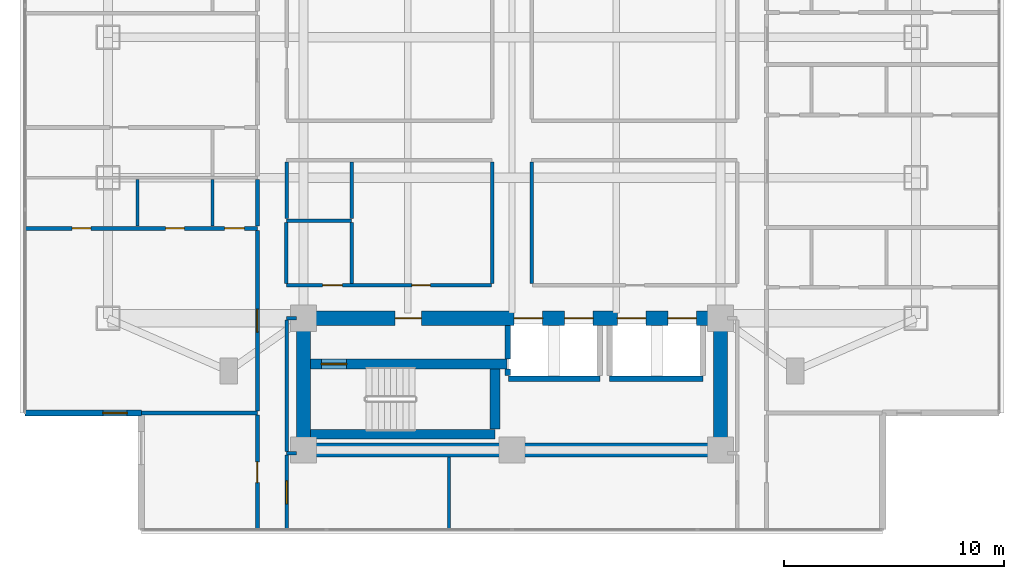
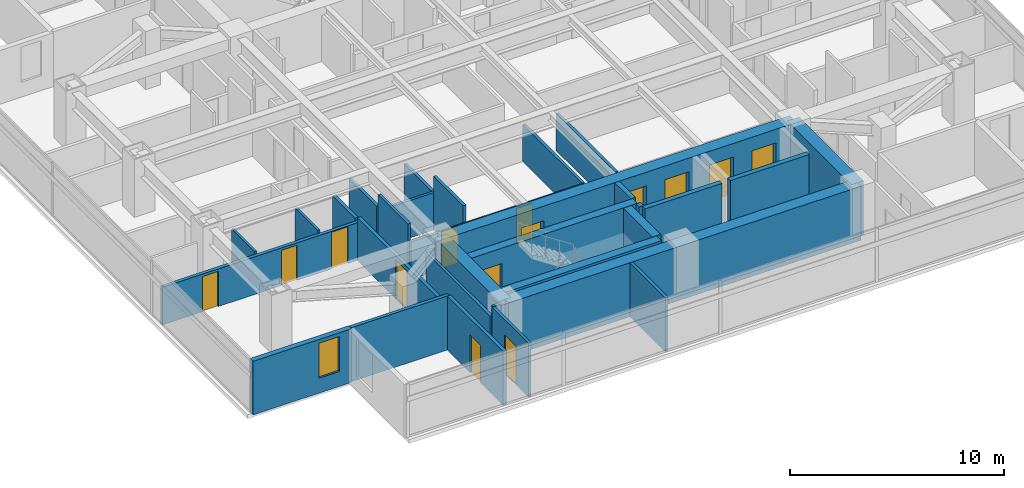
# One storey, part 13 of 25: 32 walls, 14 doors, 1 window, 15 openings.
"""IFC4 building model written with IfcOpenShell, lengths in metres."""

import ifcopenshell
import ifcopenshell.guid

model = None  # the IFC model being written
_history = None  # IfcOwnerHistory: only IFC2X3 demands one
_inside = {}  # id of a spatial element -> (the spatial element, [elements in it])
_under = {}  # id of a project, library or spatial element -> (it, [spatial elements below it])
_declared = {}  # id of a project -> (the project, [libraries it declares])
_typed = {}  # id of a type object -> (the type object, [elements of that type])
_made_of = {}  # id of a material, layer set ... -> (it, [elements and type objects made of it])


def new_model(schema):
    """Start an empty IFC model of exactly this schema.

    Asked for "IFC4X3", IfcOpenShell would pick the latest addendum, in which some entities
    have other attributes; the version numbers below select the first issue.
    IFC2X3 requires an IfcOwnerHistory on every rooted entity: one is made here for all.
    """
    global model, _history
    if schema == "IFC4X3":
        model = ifcopenshell.file(schema_version=(4, 3, 0, 0))
    else:
        model = ifcopenshell.file(schema=schema)
    _inside.clear()
    _under.clear()
    _declared.clear()
    _typed.clear()
    _made_of.clear()
    _history = None
    if model.schema == "IFC2X3":
        org = make("IfcOrganization", Name="unknown")
        user = make(
            "IfcPersonAndOrganization",
            ThePerson=make("IfcPerson", FamilyName="unknown"),
            TheOrganization=org,
        )
        app = make(
            "IfcApplication",
            ApplicationDeveloper=org,
            Version="unknown",
            ApplicationFullName="unknown",
            ApplicationIdentifier="unknown",
        )
        _history = make(
            "IfcOwnerHistory",
            OwningUser=user,
            OwningApplication=app,
            ChangeAction="ADDED",
            CreationDate=0,
        )
    return model


def make(cls, **values):
    """One entity of the class cls with the attributes given. An attribute that is None is left unset."""
    return model.create_entity(
        cls, **{name: value for name, value in values.items() if value is not None}
    )


def rooted(cls, **values):
    """An entity with a GlobalId (a new one), such as an element, a storey or a relation."""
    return make(cls, GlobalId=ifcopenshell.guid.new(), OwnerHistory=_history, **values)


def si_unit(unit_type, name, prefix=None):
    """IfcSIUnit, for example si_unit("LENGTHUNIT", "METRE", prefix="MILLI")."""
    return make("IfcSIUnit", UnitType=unit_type, Prefix=prefix, Name=name)


def assignment(units):
    """IfcUnitAssignment: the units of a project."""
    return None if units is None else make("IfcUnitAssignment", Units=units)


def point(xyz):
    """IfcCartesianPoint."""
    return None if xyz is None else make("IfcCartesianPoint", Coordinates=xyz)


def direction(xyz):
    """IfcDirection."""
    return None if xyz is None else make("IfcDirection", DirectionRatios=xyz)


def frame(location, z_axis=None, x_axis=None):
    """IfcAxis2Placement3D, a coordinate frame: its origin and axes. An axis left out is left unset."""
    return make(
        "IfcAxis2Placement3D",
        Location=point(location),
        Axis=direction(z_axis),
        RefDirection=direction(x_axis),
    )


def frame_2d(location, x_axis=None):
    """IfcAxis2Placement2D, a coordinate frame in the plane: its origin and x axis."""
    return make(
        "IfcAxis2Placement2D", Location=point(location), RefDirection=direction(x_axis)
    )


def origin():
    """The frame at (0, 0, 0) with its axes left unset."""
    return frame((0.0, 0.0, 0.0))


def place(relative_to, where):
    """IfcLocalPlacement: puts the frame where relative to a parent placement (None: the world)."""
    return make(
        "IfcLocalPlacement", PlacementRelTo=relative_to, RelativePlacement=where
    )


def context(
    kind, dimensions, precision=None, world=None, true_north=None, identifier=None
):
    """IfcGeometricRepresentationContext, for example the 3D "Model" context."""
    return make(
        "IfcGeometricRepresentationContext",
        ContextIdentifier=identifier,
        ContextType=kind,
        CoordinateSpaceDimension=dimensions,
        Precision=precision,
        WorldCoordinateSystem=world,
        TrueNorth=true_north,
    )


def subcontext(parent, identifier, kind, view, scale=None):
    """IfcGeometricRepresentationSubContext, for example "Body" below "Model"."""
    return make(
        "IfcGeometricRepresentationSubContext",
        ContextIdentifier=identifier,
        ContextType=kind,
        ParentContext=parent,
        TargetScale=scale,
        TargetView=view,
    )


def project(units=None, contexts=None):
    """IfcProject with its units and contexts."""
    return rooted(
        "IfcProject",
        Name="project",
        RepresentationContexts=contexts,
        UnitsInContext=assignment(units),
    )


def spatial(cls, under=None, at=None, **own):
    """A site, building, storey or space (cls), placed at a placement, below another one or the project."""
    s = rooted(cls, ObjectPlacement=at, **own)
    if under is not None:
        _under.setdefault(under.id(), (under, []))[1].append(s)
    return s


def profile(cls, at=None, kind="AREA", **sizes):
    """A parametric profile (cls). Its sizes go by their IFC names, for example OverallWidth=200.0."""
    return make(cls, ProfileType=kind, Position=at, **sizes)


def rectangle(**sizes):
    """IfcRectangleProfileDef."""
    return profile("IfcRectangleProfileDef", **sizes)


def extrude(swept, where, along, depth):
    """IfcExtrudedAreaSolid: the profile swept, set in the frame where, extruded along a direction by depth."""
    return make(
        "IfcExtrudedAreaSolid",
        SweptArea=swept,
        Position=where,
        ExtrudedDirection=direction(along),
        Depth=depth,
    )


def shape(context_of_items, identifier, shape_type, items):
    """IfcShapeRepresentation: the items that make up one representation, for example the "Body"."""
    return make(
        "IfcShapeRepresentation",
        ContextOfItems=context_of_items,
        RepresentationIdentifier=identifier,
        RepresentationType=shape_type,
        Items=items,
    )


def material(Name=None, Category=None):
    """IfcMaterial."""
    return make("IfcMaterial", Name=Name, Category=Category)


def layer(
    of_material, thickness, ventilated=None, Name=None, Category=None, Priority=None
):
    """IfcMaterialLayer: one layer of a wall or slab, of a material (None: an air gap)."""
    return make(
        "IfcMaterialLayer",
        Material=of_material,
        LayerThickness=thickness,
        IsVentilated=ventilated,
        Name=Name,
        Category=Category,
        Priority=Priority,
    )


def layer_set(layers, Name=None):
    """IfcMaterialLayerSet."""
    return make("IfcMaterialLayerSet", MaterialLayers=layers, LayerSetName=Name)


def made_of(thing, what):
    """Note that an element or type object is made of a material, layer set ...; save() writes the relation."""
    if what is not None:
        _made_of.setdefault(what.id(), (what, []))[1].append(thing)
    return thing


def type_object(cls, material=None, **own):
    """A type object (cls), such as IfcWallType, which elements share."""
    return made_of(rooted(cls, **own), material)


def element(
    cls,
    number,
    at=None,
    inside=None,
    cuts=None,
    type_object=None,
    material=None,
    context=None,
    identifier="Body",
    shape_type=None,
    held_by="IfcProductDefinitionShape",
    body=None,
    shapes=None,
    **own,
):
    """One element of the class cls, such as IfcWall. Its Tag is "e" and its number.

    at: its placement. inside: the storey or other place that contains it. cuts: it is an
    opening in that element (IfcRelVoidsElement). A single representation is given by context,
    identifier, shape_type and body (its items); several are given by shapes. held_by: the class
    of the entity that holds the representations. save() writes the other relations.
    """
    e = rooted(cls, Tag="e%d" % number, ObjectPlacement=at, **own)
    if body is not None:
        shapes = [shape(context, identifier, shape_type, body)]
    if shapes is not None:
        e.Representation = make(held_by, Representations=shapes)
    if inside is not None:
        _inside.setdefault(inside.id(), (inside, []))[1].append(e)
    if cuts is not None:
        rooted(
            "IfcRelVoidsElement", RelatingBuildingElement=cuts, RelatedOpeningElement=e
        )
    if type_object is not None:
        _typed.setdefault(type_object.id(), (type_object, []))[1].append(e)
    return made_of(e, material)


def fill(opening, filler):
    """IfcRelFillsElement: the door or window that sits in an opening."""
    return rooted(
        "IfcRelFillsElement",
        RelatingOpeningElement=opening,
        RelatedBuildingElement=filler,
    )


def aggregate(whole, parts):
    """IfcRelAggregates: a whole, such as a stair, and the parts it consists of."""
    return rooted("IfcRelAggregates", RelatingObject=whole, RelatedObjects=parts)


def save(model, path):
    """Write the relations noted so far, then the file.

    IfcRelAggregates (storeys below a building ...), IfcRelContainedInSpatialStructure (elements
    in a storey), IfcRelDefinesByType, IfcRelAssociatesMaterial and IfcRelDeclares: one each for
    every whole, place, type object, material and project.
    """
    for whole, parts in _under.values():
        aggregate(whole, parts)
    for where, things in _inside.values():
        rooted(
            "IfcRelContainedInSpatialStructure",
            RelatedElements=things,
            RelatingStructure=where,
        )
    for kind, things in _typed.values():
        rooted("IfcRelDefinesByType", RelatedObjects=things, RelatingType=kind)
    for what, things in _made_of.values():
        rooted("IfcRelAssociatesMaterial", RelatedObjects=things, RelatingMaterial=what)
    for by, libraries in _declared.values():
        rooted("IfcRelDeclares", RelatingContext=by, RelatedDefinitions=libraries)
    model.write(path)


model = new_model("IFC4")

# Units and contexts
model_context = context("Model", 3, precision=1e-05, world=origin(), true_north=direction((0.0, 1.0)))
body_context = subcontext(model_context, "Body", "Model", "MODEL_VIEW")
ifc_project = project(units=[si_unit("LENGTHUNIT", "METRE"), si_unit("AREAUNIT", "SQUARE_METRE"), si_unit("VOLUMEUNIT", "CUBIC_METRE"), si_unit("PLANEANGLEUNIT", "RADIAN"), si_unit("MASSUNIT", "GRAM", prefix="KILO")], contexts=[model_context])

# Site, building, storey
site_placement = place(None, origin())
site = spatial("IfcSite", under=ifc_project, at=site_placement, CompositionType="ELEMENT")
building_placement = place(site_placement, origin())
building = spatial("IfcBuilding", under=site, at=building_placement, Name="Mirazonda Arch Towers", CompositionType="ELEMENT")
storey_placement = place(building_placement, frame((0.0, 0.0, 111.5)))
storey = spatial("IfcBuildingStorey", under=building, at=storey_placement, Name="L31", CompositionType="ELEMENT", Elevation=111.5)

# Wall
ifc_material_1 = material(Name="Concrete C50/60", Category="concrete")
ifc_layer_1 = layer(ifc_material_1, 0.449951171875, Name="WALL-CORE-450")
ifc_layer_set_1 = layer_set([ifc_layer_1], Name="Concrete C50/60")
wall_type_1 = type_object("IfcWallType", Name="WALL-CORE-450", PredefinedType="SHEAR", material=ifc_layer_set_1)
wall_1_placement = place(storey_placement, frame((11.320068359375, 13.1201171875, 0.0), z_axis=(0.0, 0.0, 1.0), x_axis=(1.0, 0.0, 0.0)))
element("IfcWall", 1, at=wall_1_placement, inside=storey, type_object=wall_type_1, Name="L31 Stair Core Shear Wall 003", PredefinedType="SHEAR", context=body_context, shape_type="SweptSolid", body=[
    extrude(rectangle(XDim=8.409912109375, YDim=0.449951171875, at=frame_2d((4.205078125, 0.0))), origin(), (0.0, 0.0, 1.0), 3.080078125),
])

# Wall, opening, door
wall_2_placement = place(storey_placement, frame((11.320068359375, 16.320068359375, 0.0), z_axis=(0.0, 0.0, 1.0), x_axis=(1.0, 0.0, 0.0)))
wall_2 = element("IfcWall", 2, at=wall_2_placement, inside=storey, type_object=wall_type_1, Name="L31 Stair Core Shear Wall 008", PredefinedType="SHEAR", context=body_context, shape_type="SweptSolid", body=[
    extrude(rectangle(XDim=8.9599609375, YDim=0.449951171875, at=frame_2d((4.47998046875, 0.0))), origin(), (0.0, 0.0, 1.0), 3.080078125),
])
opening_1_placement = place(wall_2_placement, frame((0.4951171875, 0.0, 0.0)))
opening_1 = element("IfcOpeningElement", 3, at=opening_1_placement, cuts=wall_2, Name="Opening DR-135", PredefinedType="OPENING", context=body_context, shape_type="SweptSolid", body=[
    extrude(rectangle(XDim=1.14990234375, YDim=2.199951171875, at=frame_2d((0.574951171875, 1.10009765625))), frame((0.0, 0.23486328125, 0.0), z_axis=(0.0, -1.0, 0.0), x_axis=(1.0, 0.0, 0.0)), (0.0, 0.0, 1.0), 0.469970703125),
])
ifc_material_2 = material(Name="Architectural Brushed Steel S355", Category="steel")
door_type_1 = type_object("IfcDoorType", Name="DOOR-STAIR-FD90-1150", OperationType="NOTDEFINED", PredefinedType="DOOR", material=ifc_material_2)
door_1_placement = place(opening_1_placement, origin())
door_1 = element("IfcDoor", 4, at=door_1_placement, inside=storey, type_object=door_type_1, Name="L31 Protected Exit Stair South Door", OperationType="SINGLE_SWING_RIGHT", OverallHeight=2.199951171875, OverallWidth=1.14990234375, PredefinedType="DOOR", context=body_context, shape_type="SweptSolid", body=[
    extrude(rectangle(XDim=1.14990234375, YDim=2.199951171875, at=frame_2d((0.574951171875, 1.10009765625))), frame((0.0, 0.02490234375, 0.0), z_axis=(0.0, -1.0, 0.0), x_axis=(1.0, 0.0, 0.0)), (0.0, 0.0, 1.0), 0.050048828125),
])
fill(opening_1, door_1)

# Walls
wall_3_placement = place(storey_placement, frame((19.72998046875, 13.35498046875, 0.0), z_axis=(0.0, 0.0, 1.0), x_axis=(0.0, 1.0, 0.0)))
element("IfcWall", 5, at=wall_3_placement, inside=storey, type_object=wall_type_1, Name="L31 Stair Core Shear Wall 093", PredefinedType="SHEAR", context=body_context, shape_type="SweptSolid", body=[
    extrude(rectangle(XDim=2.72998046875, YDim=0.449951171875, at=frame_2d((1.364990234375, 0.0))), origin(), (0.0, 0.0, 1.0), 3.080078125),
])
ifc_material_3 = material(Name="Concrete C60/75", Category="concrete")
ifc_layer_2 = layer(ifc_material_3, 0.64990234375, Name="WALL-CORE-650")
ifc_layer_set_2 = layer_set([ifc_layer_2], Name="Concrete C60/75")
wall_type_2 = type_object("IfcWallType", Name="WALL-CORE-650", PredefinedType="SHEAR", material=ifc_layer_set_2)
wall_4_placement = place(storey_placement, frame((11.0, 12.39990234375, 0.0), z_axis=(0.0, 0.0, 1.0), x_axis=(1.0, 0.0, 0.0)))
element("IfcWall", 6, at=wall_4_placement, inside=storey, type_object=wall_type_2, Name="L31 T1S-S Core Shear Wall", PredefinedType="SHEAR", context=body_context, shape_type="SweptSolid", body=[
    extrude(rectangle(XDim=19.0, YDim=0.64990234375, at=frame_2d((9.5, 0.0))), origin(), (0.0, 0.0, 1.0), 3.080078125),
])
for number, where, z_axis, x_axis, name in (
    (7, (11.0, 12.39990234375, 0.0), (0.0, 0.0, 1.0), (0.0, 1.0, 0.0), "L31 T1S-W Core Shear Wall"),
    (8, (30.0, 12.39990234375, 0.0), (0.0, 0.0, 1.0), (0.0, 1.0, 0.0), "L31 T1S-E Core Shear Wall"),
):
    element("IfcWall", number, at=place(storey_placement, frame(where, z_axis=z_axis, x_axis=x_axis)), inside=storey, type_object=wall_type_2, Name=name, PredefinedType="SHEAR", context=body_context, shape_type="SweptSolid", body=[
        extrude(rectangle(XDim=6.0, YDim=0.64990234375, at=frame_2d((3.0, 0.0))), origin(), (0.0, 0.0, 1.0), 3.080078125),
    ])

# Wall, openings, doors
wall_5_placement = place(storey_placement, frame((11.0, 18.39990234375, 0.0), z_axis=(0.0, 0.0, 1.0), x_axis=(1.0, 0.0, 0.0)))
wall_5 = element("IfcWall", 9, at=wall_5_placement, inside=storey, type_object=wall_type_2, Name="L31 T1S-N Core Shear Wall", PredefinedType="SHEAR", context=body_context, shape_type="SweptSolid", body=[
    extrude(rectangle(XDim=19.0, YDim=0.64990234375, at=frame_2d((9.5, 0.0))), origin(), (0.0, 0.0, 1.0), 3.080078125),
])
opening_2_placement = place(wall_5_placement, frame((4.175048828125, 0.0, 0.0)))
opening_2 = element("IfcOpeningElement", 10, at=opening_2_placement, cuts=wall_5, Name="Opening DR-117", PredefinedType="OPENING", context=body_context, shape_type="SweptSolid", body=[
    extrude(rectangle(XDim=1.199951171875, YDim=2.25, at=frame_2d((0.60009765625, 1.125))), frame((0.0, 0.3349609375, 0.0), z_axis=(0.0, -1.0, 0.0), x_axis=(1.0, 0.0, 0.0)), (0.0, 0.0, 1.0), 0.669921875),
])
opening_3_placement = place(wall_5_placement, frame((9.60009765625, 0.0, 0.0)))
opening_3 = element("IfcOpeningElement", 11, at=opening_3_placement, cuts=wall_5, Name="Opening LD-111", PredefinedType="OPENING", context=body_context, shape_type="SweptSolid", body=[
    extrude(rectangle(XDim=1.300048828125, YDim=2.300048828125, at=frame_2d((0.64990234375, 1.14990234375))), frame((0.0, 0.3349609375, 0.0), z_axis=(0.0, -1.0, 0.0), x_axis=(1.0, 0.0, 0.0)), (0.0, 0.0, 1.0), 0.669921875),
])
opening_4_placement = place(wall_5_placement, frame((11.89990234375, 0.0, 0.0)))
opening_4 = element("IfcOpeningElement", 12, at=opening_4_placement, cuts=wall_5, Name="Opening LD-111", PredefinedType="OPENING", context=body_context, shape_type="SweptSolid", body=[
    extrude(rectangle(XDim=1.300048828125, YDim=2.300048828125, at=frame_2d((0.64990234375, 1.14990234375))), frame((0.0, 0.3349609375, 0.0), z_axis=(0.0, -1.0, 0.0), x_axis=(1.0, 0.0, 0.0)), (0.0, 0.0, 1.0), 0.669921875),
])
opening_5_placement = place(wall_5_placement, frame((14.300048828125, 0.0, 0.0)))
opening_5 = element("IfcOpeningElement", 13, at=opening_5_placement, cuts=wall_5, Name="Opening LD-111", PredefinedType="OPENING", context=body_context, shape_type="SweptSolid", body=[
    extrude(rectangle(XDim=1.300048828125, YDim=2.300048828125, at=frame_2d((0.64990234375, 1.14990234375))), frame((0.0, 0.3349609375, 0.0), z_axis=(0.0, -1.0, 0.0), x_axis=(1.0, 0.0, 0.0)), (0.0, 0.0, 1.0), 0.669921875),
])
opening_6_placement = place(wall_5_placement, frame((16.60009765625, 0.0, 0.0)))
opening_6 = element("IfcOpeningElement", 14, at=opening_6_placement, cuts=wall_5, Name="Opening LD-111", PredefinedType="OPENING", context=body_context, shape_type="SweptSolid", body=[
    extrude(rectangle(XDim=1.300048828125, YDim=2.300048828125, at=frame_2d((0.64990234375, 1.14990234375))), frame((0.0, 0.3349609375, 0.0), z_axis=(0.0, -1.0, 0.0), x_axis=(1.0, 0.0, 0.0)), (0.0, 0.0, 1.0), 0.669921875),
])
door_type_2 = type_object("IfcDoorType", Name="DOOR-FFL-FD90-1200", OperationType="NOTDEFINED", PredefinedType="DOOR", material=ifc_material_2)
door_2_placement = place(opening_2_placement, origin())
door_2 = element("IfcDoor", 15, at=door_2_placement, inside=storey, type_object=door_type_2, Name="L31 South Core Stair & Lift Lobby Door", OperationType="SINGLE_SWING_LEFT", OverallHeight=2.25, OverallWidth=1.199951171875, PredefinedType="DOOR", context=body_context, shape_type="SweptSolid", body=[
    extrude(rectangle(XDim=1.199951171875, YDim=2.25, at=frame_2d((0.60009765625, 1.125))), frame((0.0, 0.02490234375, 0.0), z_axis=(0.0, -1.0, 0.0), x_axis=(1.0, 0.0, 0.0)), (0.0, 0.0, 1.0), 0.050048828125),
])
fill(opening_2, door_2)
door_type_3 = type_object("IfcDoorType", Name="DOOR-LIFT-LAND-1300", OperationType="NOTDEFINED", PredefinedType="DOOR", material=ifc_material_2)
door_3_placement = place(opening_3_placement, origin())
door_3 = element("IfcDoor", 16, at=door_3_placement, inside=storey, type_object=door_type_3, Name="L31 Lift Landing Sliding Door PL-T1M1", OperationType="DOUBLE_DOOR_SLIDING", OverallHeight=2.300048828125, OverallWidth=1.300048828125, PredefinedType="DOOR", context=body_context, shape_type="SweptSolid", body=[
    extrude(rectangle(XDim=1.300048828125, YDim=2.300048828125, at=frame_2d((0.64990234375, 1.14990234375))), frame((0.0, 0.02490234375, 0.0), z_axis=(0.0, -1.0, 0.0), x_axis=(1.0, 0.0, 0.0)), (0.0, 0.0, 1.0), 0.050048828125),
])
fill(opening_3, door_3)
door_4_placement = place(opening_4_placement, origin())
door_4 = element("IfcDoor", 17, at=door_4_placement, inside=storey, type_object=door_type_3, Name="L31 Lift Landing Sliding Door PL-T1M2", OperationType="DOUBLE_DOOR_SLIDING", OverallHeight=2.300048828125, OverallWidth=1.300048828125, PredefinedType="DOOR", context=body_context, shape_type="SweptSolid", body=[
    extrude(rectangle(XDim=1.300048828125, YDim=2.300048828125, at=frame_2d((0.64990234375, 1.14990234375))), frame((0.0, 0.02490234375, 0.0), z_axis=(0.0, -1.0, 0.0), x_axis=(1.0, 0.0, 0.0)), (0.0, 0.0, 1.0), 0.050048828125),
])
fill(opening_4, door_4)
door_5_placement = place(opening_5_placement, origin())
door_5 = element("IfcDoor", 18, at=door_5_placement, inside=storey, type_object=door_type_3, Name="L31 Lift Landing Sliding Door PL-T1H1", OperationType="DOUBLE_DOOR_SLIDING", OverallHeight=2.300048828125, OverallWidth=1.300048828125, PredefinedType="DOOR", context=body_context, shape_type="SweptSolid", body=[
    extrude(rectangle(XDim=1.300048828125, YDim=2.300048828125, at=frame_2d((0.64990234375, 1.14990234375))), frame((0.0, 0.02490234375, 0.0), z_axis=(0.0, -1.0, 0.0), x_axis=(1.0, 0.0, 0.0)), (0.0, 0.0, 1.0), 0.050048828125),
])
fill(opening_5, door_5)
door_6_placement = place(opening_6_placement, origin())
door_6 = element("IfcDoor", 19, at=door_6_placement, inside=storey, type_object=door_type_3, Name="L31 Lift Landing Sliding Door PL-T1H2", OperationType="DOUBLE_DOOR_SLIDING", OverallHeight=2.300048828125, OverallWidth=1.300048828125, PredefinedType="DOOR", context=body_context, shape_type="SweptSolid", body=[
    extrude(rectangle(XDim=1.300048828125, YDim=2.300048828125, at=frame_2d((0.64990234375, 1.14990234375))), frame((0.0, 0.02490234375, 0.0), z_axis=(0.0, -1.0, 0.0), x_axis=(1.0, 0.0, 0.0)), (0.0, 0.0, 1.0), 0.050048828125),
])
fill(opening_6, door_6)

# Wall, opening, window
ifc_material_4 = material(Name="Precast Concrete C40/50", Category="concrete")
ifc_layer_3 = layer(ifc_material_4, 0.280029296875, Name="WALL-EXT-WALL-280")
ifc_layer_set_3 = layer_set([ifc_layer_3], Name="Precast Concrete C40/50")
wall_type_3 = type_object("IfcWallType", Name="WALL-EXT-WALL-280", PredefinedType="SOLIDWALL", material=ifc_layer_set_3)
wall_6_placement = place(storey_placement, frame((-1.68994140625, 14.089111328125, 0.0), z_axis=(0.0, 0.0, 1.0), x_axis=(1.0, 0.0, 0.0)))
wall_6 = element("IfcWall", 20, at=wall_6_placement, inside=storey, type_object=wall_type_3, Name="L31 T1 Corner Notch Return Wall WL-L31-T1-CSW2", PredefinedType="SOLIDWALL", context=body_context, shape_type="SweptSolid", body=[
    extrude(rectangle(XDim=5.304931640625, YDim=0.280029296875, at=frame_2d((2.65234375, 0.0))), origin(), (0.0, 0.0, 1.0), 3.06005859375),
])
opening_7_placement = place(wall_6_placement, frame((3.554931640625, 0.0, 0.85009765625)))
opening_7 = element("IfcOpeningElement", 21, at=opening_7_placement, cuts=wall_6, Name="Opening WN-108", PredefinedType="OPENING", context=body_context, shape_type="SweptSolid", body=[
    extrude(rectangle(XDim=1.10009765625, YDim=2.0, at=frame_2d((0.550048828125, 1.0))), frame((0.0, 0.14990234375, 0.0), z_axis=(0.0, -1.0, 0.0), x_axis=(1.0, 0.0, 0.0)), (0.0, 0.0, 1.0), 0.300048828125),
])
ifc_material_5 = material(Name="Insulated Low-E Solar Glass", Category="glass")
window_type = type_object("IfcWindowType", Name="WIN-NOTCH-1100x2000", PartitioningType="SINGLE_PANEL", PredefinedType="WINDOW", material=ifc_material_5)
window_placement = place(opening_7_placement, origin())
window = element("IfcWindow", 22, at=window_placement, inside=storey, type_object=window_type, Name="L31 Punched Facade Window WN-L31-T1-CSW2", OverallHeight=2.0, OverallWidth=1.10009765625, PartitioningType="SINGLE_PANEL", PredefinedType="WINDOW", context=body_context, shape_type="SweptSolid", body=[
    extrude(rectangle(XDim=1.10009765625, YDim=2.0, at=frame_2d((0.550048828125, 1.0))), frame((0.0, 0.030029296875, 0.0), z_axis=(0.0, -1.0, 0.0), x_axis=(1.0, 0.0, 0.0)), (0.0, 0.0, 1.0), 0.06005859375),
])
fill(opening_7, window)

# Walls
ifc_material_6 = material(Name="Fire-Rated Gypsum Stud Partition")
ifc_layer_4 = layer(ifc_material_6, 0.14990234375, Name="WALL-PART-CORR-150")
ifc_layer_set_4 = layer_set([ifc_layer_4], Name="Fire-Rated Gypsum Stud Partition")
wall_type_4 = type_object("IfcWallType", Name="WALL-PART-CORR-150", PredefinedType="PARTITIONING", material=ifc_layer_set_4)
wall_7_placement = place(storey_placement, frame((10.239990234375, 12.25, 0.0), z_axis=(0.0, 0.0, 1.0), x_axis=(1.0, 0.0, 0.0)))
element("IfcWall", 23, at=wall_7_placement, inside=storey, type_object=wall_type_4, Name="L31 Interior Partition 001", PredefinedType="PARTITIONING", context=body_context, shape_type="SweptSolid", body=[
    extrude(rectangle(XDim=0.43994140625, YDim=0.14990234375, at=frame_2d((0.219970703125, 0.0))), origin(), (0.0, 0.0, 1.0), 3.080078125),
])
wall_8_placement = place(storey_placement, frame((10.239990234375, 18.39990234375, 0.0), z_axis=(0.0, 0.0, 1.0), x_axis=(1.0, 0.0, 0.0)))
element("IfcWall", 24, at=wall_8_placement, inside=storey, type_object=wall_type_4, Name="L31 Interior Partition 012", PredefinedType="PARTITIONING", context=body_context, shape_type="SweptSolid", body=[
    extrude(rectangle(XDim=0.43994140625, YDim=0.14990234375, at=frame_2d((0.219970703125, 0.0))), origin(), (0.0, 0.0, 1.0), 2.4560546875),
])

# Wall, openings, doors
wall_9_placement = place(storey_placement, frame((10.219970703125, 19.89990234375, 0.0), z_axis=(0.0, 0.0, 1.0), x_axis=(1.0, 0.0, 0.0)))
wall_9 = element("IfcWall", 25, at=wall_9_placement, inside=storey, type_object=wall_type_4, Name="L31 Interior Partition 015", PredefinedType="PARTITIONING", context=body_context, shape_type="SweptSolid", body=[
    extrude(rectangle(XDim=9.340087890625, YDim=0.14990234375, at=frame_2d((4.669921875, 0.0))), origin(), (0.0, 0.0, 1.0), 2.1240234375),
])
opening_8_placement = place(wall_9_placement, frame((1.659912109375, 0.0, 0.0)))
opening_8 = element("IfcOpeningElement", 26, at=opening_8_placement, cuts=wall_9, Name="Opening DR-120", PredefinedType="OPENING", context=body_context, shape_type="SweptSolid", body=[
    extrude(rectangle(XDim=0.89990234375, YDim=2.10009765625, at=frame_2d((0.449951171875, 1.050048828125))), frame((0.0, 0.0849609375, 0.0), z_axis=(0.0, -1.0, 0.0), x_axis=(1.0, 0.0, 0.0)), (0.0, 0.0, 1.0), 0.169921875),
])
opening_9_placement = place(wall_9_placement, frame((5.715087890625, 0.0, 0.0)))
opening_9 = element("IfcOpeningElement", 27, at=opening_9_placement, cuts=wall_9, Name="Opening DR-128", PredefinedType="OPENING", context=body_context, shape_type="SweptSolid", body=[
    extrude(rectangle(XDim=0.85009765625, YDim=2.010009765625, at=frame_2d((0.425048828125, 1.0048828125))), frame((0.0, 0.0849609375, 0.0), z_axis=(0.0, -1.0, 0.0), x_axis=(1.0, 0.0, 0.0)), (0.0, 0.0, 1.0), 0.169921875),
])
door_type_4 = type_object("IfcDoorType", Name="DOOR-RISER-FD60-850", OperationType="NOTDEFINED", PredefinedType="DOOR", material=ifc_material_2)
door_7_placement = place(opening_9_placement, origin())
door_7 = element("IfcDoor", 28, at=door_7_placement, inside=storey, type_object=door_type_4, Name="L31 L31 West Courtyard Study Door", OperationType="SINGLE_SWING_RIGHT", OverallHeight=2.010009765625, OverallWidth=0.85009765625, PredefinedType="DOOR", context=body_context, shape_type="SweptSolid", body=[
    extrude(rectangle(XDim=0.85009765625, YDim=2.010009765625, at=frame_2d((0.425048828125, 1.0048828125))), frame((0.0, 0.02490234375, 0.0), z_axis=(0.0, -1.0, 0.0), x_axis=(1.0, 0.0, 0.0)), (0.0, 0.0, 1.0), 0.050048828125),
])
fill(opening_9, door_7)
door_type_5 = type_object("IfcDoorType", Name="DOOR-WC-900", OperationType="NOTDEFINED", PredefinedType="DOOR", material=ifc_material_2)
door_8_placement = place(opening_8_placement, origin())
door_8 = element("IfcDoor", 29, at=door_8_placement, inside=storey, type_object=door_type_5, Name="L31 Common Accessible WC Door", OperationType="SINGLE_SWING_LEFT", OverallHeight=2.10009765625, OverallWidth=0.89990234375, PredefinedType="DOOR", context=body_context, shape_type="SweptSolid", body=[
    extrude(rectangle(XDim=0.89990234375, YDim=2.10009765625, at=frame_2d((0.449951171875, 1.050048828125))), frame((0.0, 0.02490234375, 0.0), z_axis=(0.0, -1.0, 0.0), x_axis=(1.0, 0.0, 0.0)), (0.0, 0.0, 1.0), 0.050048828125),
])
fill(opening_8, door_8)

# Walls
wall_10_placement = place(storey_placement, frame((10.219970703125, 22.85009765625, 0.0), z_axis=(0.0, 0.0, 1.0), x_axis=(1.0, 0.0, 0.0)))
element("IfcWall", 30, at=wall_10_placement, inside=storey, type_object=wall_type_4, Name="L31 Interior Partition 025", PredefinedType="PARTITIONING", context=body_context, shape_type="SweptSolid", body=[
    extrude(rectangle(XDim=2.97998046875, YDim=0.14990234375, at=frame_2d((1.489990234375, 0.0))), origin(), (0.0, 0.0, 1.0), 2.1240234375),
])
wall_11_placement = place(storey_placement, frame((10.219970703125, 19.985107421875, 0.0), z_axis=(0.0, 0.0, 1.0), x_axis=(0.0, 1.0, 0.0)))
element("IfcWall", 31, at=wall_11_placement, inside=storey, type_object=wall_type_4, Name="L31 Interior Partition 078", PredefinedType="PARTITIONING", context=body_context, shape_type="SweptSolid", body=[
    extrude(rectangle(XDim=2.77978515625, YDim=0.14990234375, at=frame_2d((1.389892578125, 0.0))), origin(), (0.0, 0.0, 1.0), 3.080078125),
])

# Wall, opening, door
wall_12_placement = place(storey_placement, frame((10.239990234375, 8.783935546875, 0.0), z_axis=(0.0, 0.0, 1.0), x_axis=(0.0, 1.0, 0.0)))
wall_12 = element("IfcWall", 32, at=wall_12_placement, inside=storey, type_object=wall_type_4, Name="L31 Interior Partition 079", PredefinedType="PARTITIONING", context=body_context, shape_type="SweptSolid", body=[
    extrude(rectangle(XDim=3.381103515625, YDim=0.14990234375, at=frame_2d((1.6904296875, 0.0))), origin(), (0.0, 0.0, 1.0), 3.080078125),
])
opening_10_placement = place(wall_12_placement, frame((1.16552734375, 0.0, 0.0)))
opening_10 = element("IfcOpeningElement", 33, at=opening_10_placement, cuts=wall_12, Name="Opening DR-121", PredefinedType="OPENING", context=body_context, shape_type="SweptSolid", body=[
    extrude(rectangle(XDim=1.050048828125, YDim=2.199951171875, at=frame_2d((0.52490234375, 1.10009765625))), frame((0.0, 0.0849609375, 0.0), z_axis=(0.0, -1.0, 0.0), x_axis=(1.0, 0.0, 0.0)), (0.0, 0.0, 1.0), 0.169921875),
])
door_type_6 = type_object("IfcDoorType", Name="DOOR-SUITE-FD60-1050", OperationType="NOTDEFINED", PredefinedType="DOOR", material=ifc_material_2)
door_9_placement = place(opening_10_placement, origin())
door_9 = element("IfcDoor", 34, at=door_9_placement, inside=storey, type_object=door_type_6, Name="L31 South Panoramic Study Minor Door", OperationType="SINGLE_SWING_RIGHT", OverallHeight=2.199951171875, OverallWidth=1.050048828125, PredefinedType="DOOR", context=body_context, shape_type="SweptSolid", body=[
    extrude(rectangle(XDim=1.050048828125, YDim=2.199951171875, at=frame_2d((0.52490234375, 1.10009765625))), frame((0.0, 0.02490234375, 0.0), z_axis=(0.0, -1.0, 0.0), x_axis=(1.0, 0.0, 0.0)), (0.0, 0.0, 1.0), 0.050048828125),
])
fill(opening_10, door_9)

# Walls
wall_13_placement = place(storey_placement, frame((10.239990234375, 12.3349609375, 0.0), z_axis=(0.0, 0.0, 1.0), x_axis=(0.0, 1.0, 0.0)))
element("IfcWall", 35, at=wall_13_placement, inside=storey, type_object=wall_type_4, Name="L31 Interior Partition 080", PredefinedType="PARTITIONING", context=body_context, shape_type="SweptSolid", body=[
    extrude(rectangle(XDim=5.97998046875, YDim=0.14990234375, at=frame_2d((2.989990234375, 0.0))), origin(), (0.0, 0.0, 1.0), 2.4560546875),
])
wall_14_placement = place(storey_placement, frame((10.239990234375, 22.93505859375, 0.0), z_axis=(0.0, 0.0, 1.0), x_axis=(0.0, 1.0, 0.0)))
element("IfcWall", 36, at=wall_14_placement, inside=storey, type_object=wall_type_4, Name="L31 Interior Partition 081", PredefinedType="PARTITIONING", context=body_context, shape_type="SweptSolid", body=[
    extrude(rectangle(XDim=2.579833984375, YDim=0.14990234375, at=frame_2d((1.2900390625, 0.0))), origin(), (0.0, 0.0, 1.0), 2.299072265625),
])
wall_15_placement = place(storey_placement, frame((13.199951171875, 19.985107421875, 0.0), z_axis=(0.0, 0.0, 1.0), x_axis=(0.0, 1.0, 0.0)))
element("IfcWall", 37, at=wall_15_placement, inside=storey, type_object=wall_type_4, Name="L31 Interior Partition 086", PredefinedType="PARTITIONING", context=body_context, shape_type="SweptSolid", body=[
    extrude(rectangle(XDim=2.77978515625, YDim=0.14990234375, at=frame_2d((1.389892578125, 0.0))), origin(), (0.0, 0.0, 1.0), 3.080078125),
])
wall_16_placement = place(storey_placement, frame((13.199951171875, 22.93505859375, 0.0), z_axis=(0.0, 0.0, 1.0), x_axis=(0.0, 1.0, 0.0)))
element("IfcWall", 38, at=wall_16_placement, inside=storey, type_object=wall_type_4, Name="L31 Interior Partition 087", PredefinedType="PARTITIONING", context=body_context, shape_type="SweptSolid", body=[
    extrude(rectangle(XDim=2.579833984375, YDim=0.14990234375, at=frame_2d((1.2900390625, 0.0))), origin(), (0.0, 0.0, 1.0), 2.1240234375),
])
wall_17_placement = place(storey_placement, frame((17.626953125, 8.783935546875, 0.0), z_axis=(0.0, 0.0, 1.0), x_axis=(0.0, 1.0, 0.0)))
element("IfcWall", 39, at=wall_17_placement, inside=storey, type_object=wall_type_4, Name="L31 Interior Partition 089", PredefinedType="PARTITIONING", context=body_context, shape_type="SweptSolid", body=[
    extrude(rectangle(XDim=3.296142578125, YDim=0.14990234375, at=frame_2d((1.64794921875, 0.0))), origin(), (0.0, 0.0, 1.0), 3.080078125),
])
for number, where, z_axis, x_axis, name in (
    (40, (19.60009765625, 19.985107421875, 0.0), (0.0, 0.0, 1.0), (0.0, 1.0, 0.0), "L31 Interior Partition 091"),
    (41, (21.39990234375, 19.985107421875, 0.0), (0.0, 0.0, 1.0), (0.0, 1.0, 0.0), "L31 Interior Partition 098"),
):
    element("IfcWall", number, at=place(storey_placement, frame(where, z_axis=z_axis, x_axis=x_axis)), inside=storey, type_object=wall_type_4, Name=name, PredefinedType="PARTITIONING", context=body_context, shape_type="SweptSolid", body=[
        extrude(rectangle(XDim=5.52978515625, YDim=0.14990234375, at=frame_2d((2.764892578125, 0.0))), origin(), (0.0, 0.0, 1.0), 2.1240234375),
    ])
ifc_material_7 = material(Name="Fire-Rated Gypsum Twin-Stud Assembly")
ifc_layer_5 = layer(ifc_material_7, 0.179931640625, Name="WALL-PART-DEMISE-180")
ifc_layer_set_5 = layer_set([ifc_layer_5], Name="Fire-Rated Gypsum Twin-Stud Assembly")
wall_type_5 = type_object("IfcWallType", Name="WALL-PART-DEMISE-180", PredefinedType="PARTITIONING", material=ifc_layer_set_5)
wall_18_placement = place(storey_placement, frame((3.635009765625, 14.089111328125, 0.0), z_axis=(0.0, 0.0, 1.0), x_axis=(1.0, 0.0, 0.0)))
element("IfcWall", 42, at=wall_18_placement, inside=storey, type_object=wall_type_5, Name="L31 Interior Partition 004", PredefinedType="PARTITIONING", context=body_context, shape_type="SweptSolid", body=[
    extrude(rectangle(XDim=5.264892578125, YDim=0.179931640625, at=frame_2d((2.63232421875, 0.0))), origin(), (0.0, 0.0, 1.0), 3.080078125),
])

# Wall, openings, doors
wall_19_placement = place(storey_placement, frame((-1.68994140625, 22.5, 0.0), z_axis=(0.0, 0.0, 1.0), x_axis=(1.0, 0.0, 0.0)))
wall_19 = element("IfcWall", 43, at=wall_19_placement, inside=storey, type_object=wall_type_5, Name="L31 Interior Partition 022", PredefinedType="PARTITIONING", context=body_context, shape_type="SweptSolid", body=[
    extrude(rectangle(XDim=10.58984375, YDim=0.179931640625, at=frame_2d((5.294921875, 0.0))), origin(), (0.0, 0.0, 1.0), 2.14501953125),
])
opening_11_placement = place(wall_19_placement, frame((2.159912109375, 0.0, 0.0)))
opening_11 = element("IfcOpeningElement", 44, at=opening_11_placement, cuts=wall_19, Name="Opening DR-128", PredefinedType="OPENING", context=body_context, shape_type="SweptSolid", body=[
    extrude(rectangle(XDim=0.85009765625, YDim=2.010009765625, at=frame_2d((0.425048828125, 1.0048828125))), frame((0.0, 0.099853515625, 0.0), z_axis=(0.0, -1.0, 0.0), x_axis=(1.0, 0.0, 0.0)), (0.0, 0.0, 1.0), 0.199951171875),
])
opening_12_placement = place(wall_19_placement, frame((6.4150390625, 0.0, 0.0)))
opening_12 = element("IfcOpeningElement", 45, at=opening_12_placement, cuts=wall_19, Name="Opening DR-128", PredefinedType="OPENING", context=body_context, shape_type="SweptSolid", body=[
    extrude(rectangle(XDim=0.85009765625, YDim=2.010009765625, at=frame_2d((0.425048828125, 1.0048828125))), frame((0.0, 0.099853515625, 0.0), z_axis=(0.0, -1.0, 0.0), x_axis=(1.0, 0.0, 0.0)), (0.0, 0.0, 1.0), 0.199951171875),
])
opening_13_placement = place(wall_19_placement, frame((9.10009765625, 0.0, 0.0)))
opening_13 = element("IfcOpeningElement", 46, at=opening_13_placement, cuts=wall_19, Name="Opening DR-120", PredefinedType="OPENING", context=body_context, shape_type="SweptSolid", body=[
    extrude(rectangle(XDim=0.89990234375, YDim=2.10009765625, at=frame_2d((0.449951171875, 1.050048828125))), frame((0.0, 0.099853515625, 0.0), z_axis=(0.0, -1.0, 0.0), x_axis=(1.0, 0.0, 0.0)), (0.0, 0.0, 1.0), 0.199951171875),
])
door_10_placement = place(opening_11_placement, origin())
door_10 = element("IfcDoor", 47, at=door_10_placement, inside=storey, type_object=door_type_4, Name="L31 Residence 1 Principal Bedroom Door", OperationType="SINGLE_SWING_LEFT", OverallHeight=2.010009765625, OverallWidth=0.85009765625, PredefinedType="DOOR", context=body_context, shape_type="SweptSolid", body=[
    extrude(rectangle(XDim=0.85009765625, YDim=2.010009765625, at=frame_2d((0.425048828125, 1.0048828125))), frame((0.0, 0.02490234375, 0.0), z_axis=(0.0, -1.0, 0.0), x_axis=(1.0, 0.0, 0.0)), (0.0, 0.0, 1.0), 0.050048828125),
])
fill(opening_11, door_10)
door_11_placement = place(opening_12_placement, origin())
door_11 = element("IfcDoor", 48, at=door_11_placement, inside=storey, type_object=door_type_4, Name="L31 Residence 1 Fitted Kitchen Door", OperationType="SINGLE_SWING_RIGHT", OverallHeight=2.010009765625, OverallWidth=0.85009765625, PredefinedType="DOOR", context=body_context, shape_type="SweptSolid", body=[
    extrude(rectangle(XDim=0.85009765625, YDim=2.010009765625, at=frame_2d((0.425048828125, 1.0048828125))), frame((0.0, 0.02490234375, 0.0), z_axis=(0.0, -1.0, 0.0), x_axis=(1.0, 0.0, 0.0)), (0.0, 0.0, 1.0), 0.050048828125),
])
fill(opening_12, door_11)
door_12_placement = place(opening_13_placement, origin())
door_12 = element("IfcDoor", 49, at=door_12_placement, inside=storey, type_object=door_type_5, Name="L31 Residence 1 Bathroom Door", OperationType="SINGLE_SWING_LEFT", OverallHeight=2.10009765625, OverallWidth=0.89990234375, PredefinedType="DOOR", context=body_context, shape_type="SweptSolid", body=[
    extrude(rectangle(XDim=0.89990234375, YDim=2.10009765625, at=frame_2d((0.449951171875, 1.050048828125))), frame((0.0, 0.02490234375, 0.0), z_axis=(0.0, -1.0, 0.0), x_axis=(1.0, 0.0, 0.0)), (0.0, 0.0, 1.0), 0.050048828125),
])
fill(opening_13, door_12)

# Wall, opening, door
wall_20_placement = place(storey_placement, frame((8.89990234375, 8.783935546875, 0.0), z_axis=(0.0, 0.0, 1.0), x_axis=(0.0, 1.0, 0.0)))
wall_20 = element("IfcWall", 50, at=wall_20_placement, inside=storey, type_object=wall_type_5, Name="L31 Interior Partition 070", PredefinedType="PARTITIONING", context=body_context, shape_type="SweptSolid", body=[
    extrude(rectangle(XDim=5.205078125, YDim=0.179931640625, at=frame_2d((2.6025390625, 0.0))), origin(), (0.0, 0.0, 1.0), 3.080078125),
])
opening_14_placement = place(wall_20_placement, frame((2.12744140625, 0.0, 0.0)))
opening_14 = element("IfcOpeningElement", 51, at=opening_14_placement, cuts=wall_20, Name="Opening DR-104", PredefinedType="OPENING", context=body_context, shape_type="SweptSolid", body=[
    extrude(rectangle(XDim=0.949951171875, YDim=2.14990234375, at=frame_2d((0.47509765625, 1.074951171875))), frame((0.0, 0.099853515625, 0.0), z_axis=(0.0, -1.0, 0.0), x_axis=(1.0, 0.0, 0.0)), (0.0, 0.0, 1.0), 0.199951171875),
])
door_type_7 = type_object("IfcDoorType", Name="DOOR-ROOM-950", OperationType="NOTDEFINED", PredefinedType="DOOR", material=ifc_material_2)
door_13_placement = place(opening_14_placement, origin())
door_13 = element("IfcDoor", 52, at=door_13_placement, inside=storey, type_object=door_type_7, Name="L31 South Panoramic Study Alcove West Door", OperationType="SINGLE_SWING_RIGHT", OverallHeight=2.14990234375, OverallWidth=0.949951171875, PredefinedType="DOOR", context=body_context, shape_type="SweptSolid", body=[
    extrude(rectangle(XDim=0.949951171875, YDim=2.14990234375, at=frame_2d((0.47509765625, 1.074951171875))), frame((0.0, 0.02490234375, 0.0), z_axis=(0.0, -1.0, 0.0), x_axis=(1.0, 0.0, 0.0)), (0.0, 0.0, 1.0), 0.050048828125),
])
fill(opening_14, door_13)

wall_21_placement = place(storey_placement, frame((8.89990234375, 14.18896484375, 0.0), z_axis=(0.0, 0.0, 1.0), x_axis=(0.0, 1.0, 0.0)))
wall_21 = element("IfcWall", 53, at=wall_21_placement, inside=storey, type_object=wall_type_5, Name="L31 Interior Partition 071", PredefinedType="PARTITIONING", context=body_context, shape_type="SweptSolid", body=[
    extrude(rectangle(XDim=8.2109375, YDim=0.179931640625, at=frame_2d((4.10546875, 0.0))), origin(), (0.0, 0.0, 1.0), 2.4560546875),
])
opening_15_placement = place(wall_21_placement, frame((3.58056640625, 0.0, 0.0)))
opening_15 = element("IfcOpeningElement", 54, at=opening_15_placement, cuts=wall_21, Name="Opening DR-121", PredefinedType="OPENING", context=body_context, shape_type="SweptSolid", body=[
    extrude(rectangle(XDim=1.050048828125, YDim=2.199951171875, at=frame_2d((0.52490234375, 1.10009765625))), frame((0.0, 0.099853515625, 0.0), z_axis=(0.0, -1.0, 0.0), x_axis=(1.0, 0.0, 0.0)), (0.0, 0.0, 1.0), 0.199951171875),
])
door_14_placement = place(opening_15_placement, origin())
door_14 = element("IfcDoor", 55, at=door_14_placement, inside=storey, type_object=door_type_6, Name="L31 Penthouse Residence 1 Living & Dining Salon Door", OperationType="SINGLE_SWING_RIGHT", OverallHeight=2.199951171875, OverallWidth=1.050048828125, PredefinedType="DOOR", context=body_context, shape_type="SweptSolid", body=[
    extrude(rectangle(XDim=1.050048828125, YDim=2.199951171875, at=frame_2d((0.52490234375, 1.10009765625))), frame((0.0, 0.02490234375, 0.0), z_axis=(0.0, -1.0, 0.0), x_axis=(1.0, 0.0, 0.0)), (0.0, 0.0, 1.0), 0.050048828125),
])
fill(opening_15, door_14)

# Walls
wall_22_placement = place(storey_placement, frame((8.89990234375, 22.60009765625, 0.0), z_axis=(0.0, 0.0, 1.0), x_axis=(0.0, 1.0, 0.0)))
element("IfcWall", 56, at=wall_22_placement, inside=storey, type_object=wall_type_5, Name="L31 Interior Partition 072", PredefinedType="PARTITIONING", context=body_context, shape_type="SweptSolid", body=[
    extrude(rectangle(XDim=2.12744140625, YDim=0.179931640625, at=frame_2d((1.063720703125, 0.0))), origin(), (0.0, 0.0, 1.0), 2.299072265625),
])
ifc_material_8 = material(Name="Acoustic Fire-Rated Gypsum Partition")
ifc_layer_6 = layer(ifc_material_8, 0.125, Name="WALL-PART-UNIT-125")
ifc_layer_set_6 = layer_set([ifc_layer_6], Name="Acoustic Fire-Rated Gypsum Partition")
wall_type_6 = type_object("IfcWallType", Name="WALL-PART-UNIT-125", PredefinedType="PARTITIONING", material=ifc_layer_set_6)
for number, where, z_axis, x_axis, name in (
    (57, (3.43994140625, 22.60009765625, 0.0), (0.0, 0.0, 1.0), (0.0, 1.0, 0.0), "L31 Interior Partition 066"),
    (58, (6.860107421875, 22.60009765625, 0.0), (0.0, 0.0, 1.0), (0.0, 1.0, 0.0), "L31 Interior Partition 067"),
):
    element("IfcWall", number, at=place(storey_placement, frame(where, z_axis=z_axis, x_axis=x_axis)), inside=storey, type_object=wall_type_6, Name=name, PredefinedType="PARTITIONING", context=body_context, shape_type="SweptSolid", body=[
        extrude(rectangle(XDim=2.12744140625, YDim=0.125, at=frame_2d((1.063720703125, 0.0))), origin(), (0.0, 0.0, 1.0), 2.299072265625),
    ])
ifc_material_9 = material(Name="Concrete C40/50", Category="concrete")
ifc_layer_7 = layer(ifc_material_9, 0.25, Name="WALL-SHAFT-250")
ifc_layer_set_7 = layer_set([ifc_layer_7], Name="Concrete C40/50")
wall_type_7 = type_object("IfcWallType", Name="WALL-SHAFT-250", PredefinedType="SOLIDWALL", material=ifc_layer_set_7)
wall_23_placement = place(storey_placement, frame((20.35009765625, 15.64990234375, 0.0), z_axis=(0.0, 0.0, 1.0), x_axis=(1.0, 0.0, 0.0)))
element("IfcWall", 59, at=wall_23_placement, inside=storey, type_object=wall_type_7, Name="L31 Interior Partition 006", PredefinedType="SOLIDWALL", context=body_context, shape_type="SweptSolid", body=[
    extrude(rectangle(XDim=4.14990234375, YDim=0.25, at=frame_2d((2.074951171875, 0.0))), origin(), (0.0, 0.0, 1.0), 3.080078125),
])
wall_24_placement = place(storey_placement, frame((24.949951171875, 15.64990234375, 0.0), z_axis=(0.0, 0.0, 1.0), x_axis=(1.0, 0.0, 0.0)))
element("IfcWall", 60, at=wall_24_placement, inside=storey, type_object=wall_type_7, Name="L31 Interior Partition 007", PredefinedType="SOLIDWALL", context=body_context, shape_type="SweptSolid", body=[
    extrude(rectangle(XDim=4.25, YDim=0.25, at=frame_2d((2.125, 0.0))), origin(), (0.0, 0.0, 1.0), 3.080078125),
])
wall_25_placement = place(storey_placement, frame((20.31494140625, 15.784912109375, 0.0), z_axis=(0.0, 0.0, 1.0), x_axis=(0.0, 1.0, 0.0)))
element("IfcWall", 61, at=wall_25_placement, inside=storey, type_object=wall_type_7, Name="L31 Interior Partition 095", PredefinedType="SOLIDWALL", context=body_context, shape_type="SweptSolid", body=[
    extrude(rectangle(XDim=0.300048828125, YDim=0.25, at=frame_2d((0.14990234375, 0.0))), origin(), (0.0, 0.0, 1.0), 3.080078125),
])
wall_26_placement = place(storey_placement, frame((20.31494140625, 16.554931640625, 0.0), z_axis=(0.0, 0.0, 1.0), x_axis=(0.0, 1.0, 0.0)))
element("IfcWall", 62, at=wall_26_placement, inside=storey, type_object=wall_type_7, Name="L31 Interior Partition 096", PredefinedType="SOLIDWALL", context=body_context, shape_type="SweptSolid", body=[
    extrude(rectangle(XDim=1.525146484375, YDim=0.25, at=frame_2d((0.7626953125, 0.0))), origin(), (0.0, 0.0, 1.0), 3.080078125),
])

save(model, "model.ifc")
